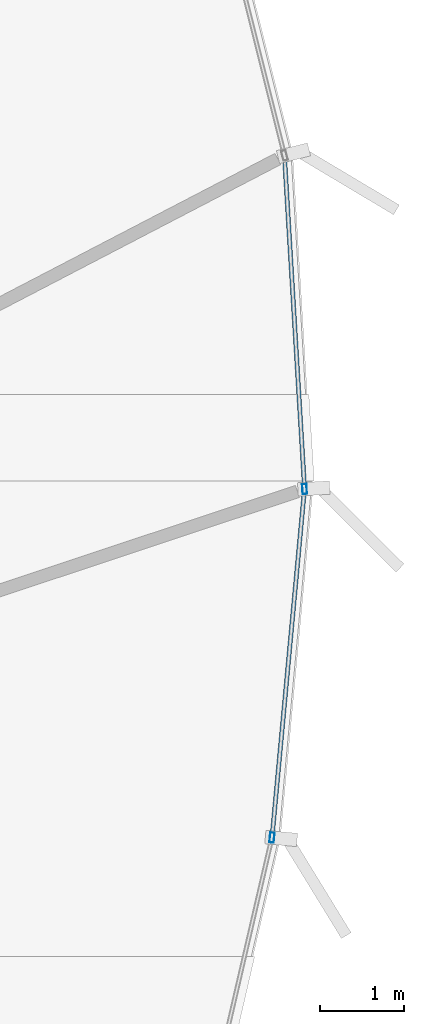
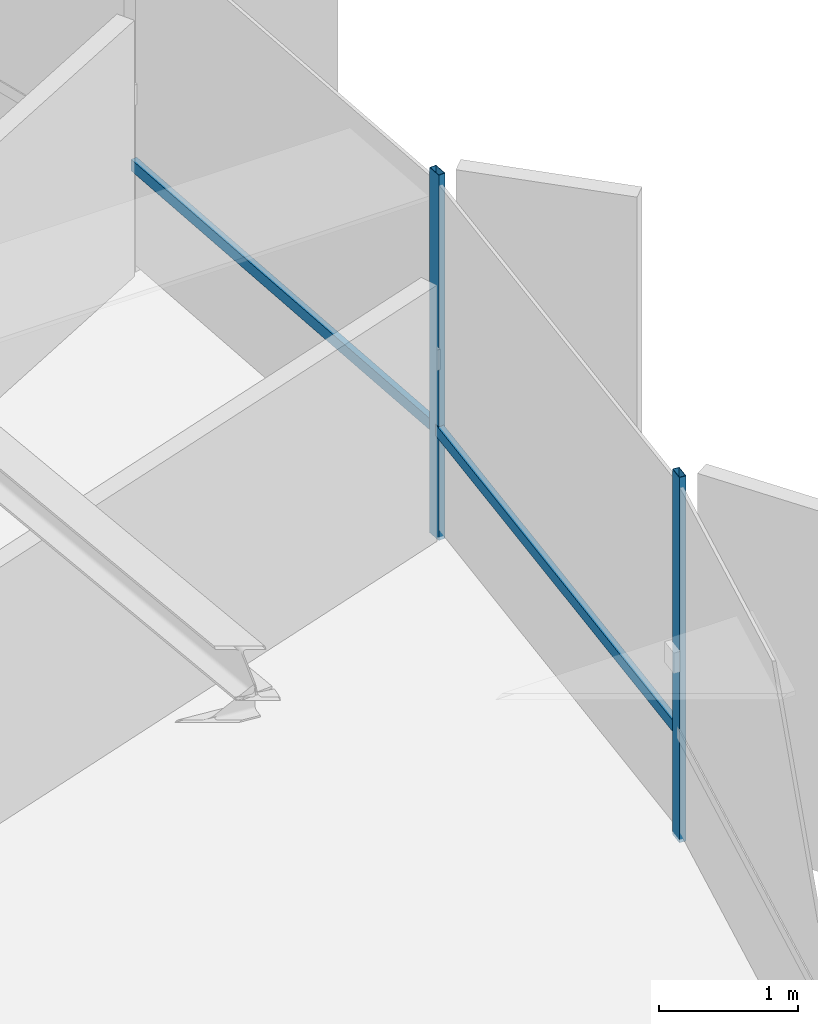
# One storey, part 17 of 33: 4 members, 1 element without a shape of its own.
"""IFC4 building model written with IfcOpenShell, lengths in metres."""

from ifc_helpers import new_model, si_unit, direction, frame, origin, origin_2d, place, context, subcontext, project, spatial, hollow_rectangle, extrude, source, transform, mapped, material, layer, layer_set, material_profile, profile_set, type_object, element, aggregate, save


model = new_model("IFC4")

# Units and contexts
model_context = context("Model", 3, precision=1e-05, world=origin(), true_north=direction((0.0, 1.0)))
body_context = subcontext(model_context, "Body", "Model", "MODEL_VIEW")
ifc_project = project(units=[si_unit("LENGTHUNIT", "METRE"), si_unit("AREAUNIT", "SQUARE_METRE"), si_unit("VOLUMEUNIT", "CUBIC_METRE"), si_unit("PLANEANGLEUNIT", "RADIAN"), si_unit("MASSUNIT", "GRAM", prefix="KILO"), si_unit("THERMODYNAMICTEMPERATUREUNIT", "KELVIN")], contexts=[model_context])

# Site, building, storey
site_placement = place(None, origin())
site = spatial("IfcSite", under=ifc_project, at=site_placement, CompositionType="ELEMENT")
building_placement = place(site_placement, origin())
building = spatial("IfcBuilding", under=site, at=building_placement, Name="Kethvar Cultural Tower", CompositionType="ELEMENT")
storey_placement = place(building_placement, frame((0.0, 0.0, 238.75)))
storey = spatial("IfcBuildingStorey", under=building, at=storey_placement, Name="L62", CompositionType="ELEMENT", Elevation=238.75)

# Curtain wall, members
ifc_material = material(Name="Aluminium 6063-T6", Category="aluminium")
ifc_layer = layer(ifc_material, 0.179931640625, Name="Aluminium 6063-T6", Category="aluminium")
ifc_layer_set = layer_set([ifc_layer], Name="Aluminium 6063-T6 (180 mm)")
curtain_wall_type = type_object("IfcCurtainWallType", Name="CW-SYS-05-Z56", PredefinedType="NOTDEFINED", material=ifc_layer_set)
curtain_wall_placement = place(storey_placement, origin())
curtain_wall = element("IfcCurtainWall", 1, at=curtain_wall_placement, inside=storey, type_object=curtain_wall_type, Name="L62 Curtain Wall Run 06", PredefinedType="NOTDEFINED")
ifc_material_profile_1 = material_profile(ifc_material, hollow_rectangle(XDim=0.054931640625, YDim=0.1201171875, WallThickness=0.00390625, at=origin_2d()), Name="Aluminium 6063-T6 — RHS120x55x4")
ifc_profile_set_1 = profile_set([ifc_material_profile_1], Name="Aluminium 6063-T6 — RHS120x55x4")
member_type_1 = type_object("IfcMemberType", Name="CW-SYS-05-Z56-MUL", PredefinedType="MULLION", material=ifc_profile_set_1)
shared_shape_1 = source(origin(), body_context, "Body", "SweptSolid", [
    extrude(hollow_rectangle(XDim=0.054931640625, YDim=0.1201171875, WallThickness=0.00390625, at=origin_2d()), origin(), (0.0, 0.0, 1.0), 3.2099609375),
])
member_1_placement = place(storey_placement, frame((68.235107421875, 30.84326171875, 0.0), z_axis=(0.0, 0.0, 1.0), x_axis=(-0.99568591873, 0.092787667517, 0.0)))
member_1 = element("IfcMember", 2, at=member_1_placement, type_object=member_type_1, Name="CW-L62-R06 Mullion 2", PredefinedType="MULLION", context=body_context, shape_type="MappedRepresentation", body=[
    mapped(shared_shape_1, transform((0.0, 0.0, 0.0), scale=1.0)),
])
member_2_placement = place(storey_placement, frame((68.62353515625, 34.997802734375, 0.0), z_axis=(0.0, 0.0, 1.0), x_axis=(-0.998176121612, -0.060369116639, 0.0)))
member_2 = element("IfcMember", 3, at=member_2_placement, type_object=member_type_1, Name="CW-L62-R06 Mullion 3", PredefinedType="MULLION", context=body_context, shape_type="MappedRepresentation", body=[
    mapped(shared_shape_1, transform((0.0, 0.0, 0.0), scale=1.0)),
])
ifc_material_profile_2 = material_profile(ifc_material, hollow_rectangle(XDim=0.050048828125, YDim=0.10009765625, WallThickness=0.00390625, at=origin_2d()), Name="Aluminium 6063-T6 — RHS100x50x4")
ifc_profile_set_2 = profile_set([ifc_material_profile_2], Name="Aluminium 6063-T6 — RHS100x50x4")
member_type_2 = type_object("IfcMemberType", Name="CW-SYS-05-Z56-TRN", PredefinedType="USERDEFINED", material=ifc_profile_set_2)
shared_shape_2 = source(origin(), body_context, "Body", "SweptSolid", [
    extrude(hollow_rectangle(XDim=0.050048828125, YDim=0.10009765625, WallThickness=0.00390625, at=origin_2d()), origin(), (0.0, 0.0, 1.0), 3.922607421875),
])
member_3_placement = place(storey_placement, frame((68.62109375, 35.037353515625, 0.949951171875), z_axis=(-0.060309027409, 0.998179753959, 0.0), x_axis=(-0.998179753959, -0.060309027409, 0.0)))
member_3 = element("IfcMember", 4, at=member_3_placement, type_object=member_type_2, Name="CW-L62-R06 Transom 3", ObjectType="TRANSOM", PredefinedType="USERDEFINED", context=body_context, shape_type="MappedRepresentation", body=[
    mapped(shared_shape_2, transform((0.0, 0.0, 0.0), scale=1.0)),
])
shared_shape_3 = source(origin(), body_context, "Body", "SweptSolid", [
    extrude(hollow_rectangle(XDim=0.050048828125, YDim=0.10009765625, WallThickness=0.00390625, at=origin_2d()), origin(), (0.0, 0.0, 1.0), 4.108642578125),
])
member_4_placement = place(storey_placement, frame((68.239013671875, 30.8828125, 0.949951171875), z_axis=(0.092759005013, 0.995688589364, 0.0), x_axis=(-0.995688589364, 0.092759005013, 0.0)))
member_4 = element("IfcMember", 5, at=member_4_placement, type_object=member_type_2, Name="CW-L62-R06 Transom 2", ObjectType="TRANSOM", PredefinedType="USERDEFINED", context=body_context, shape_type="MappedRepresentation", body=[
    mapped(shared_shape_3, transform((0.0, 0.0, 0.0), scale=1.0)),
])
aggregate(curtain_wall, [member_1, member_2, member_4, member_3])

save(model, "model.ifc")
